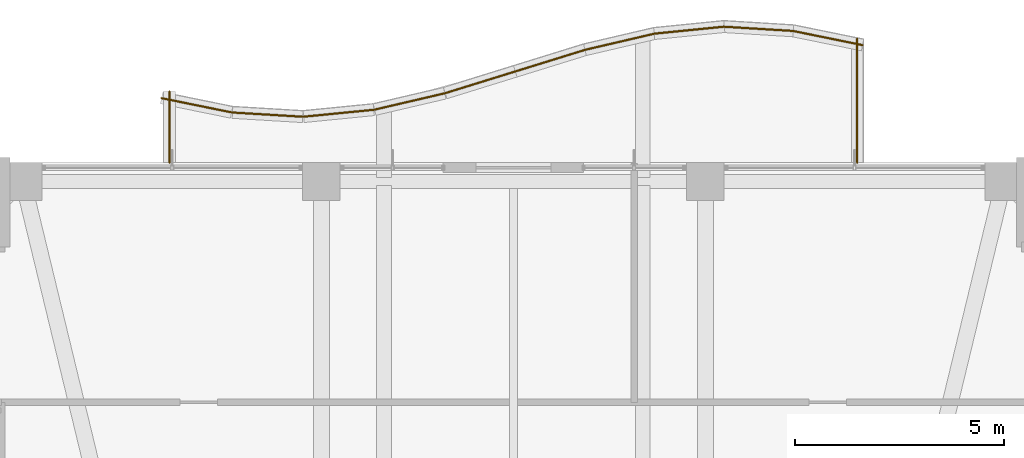
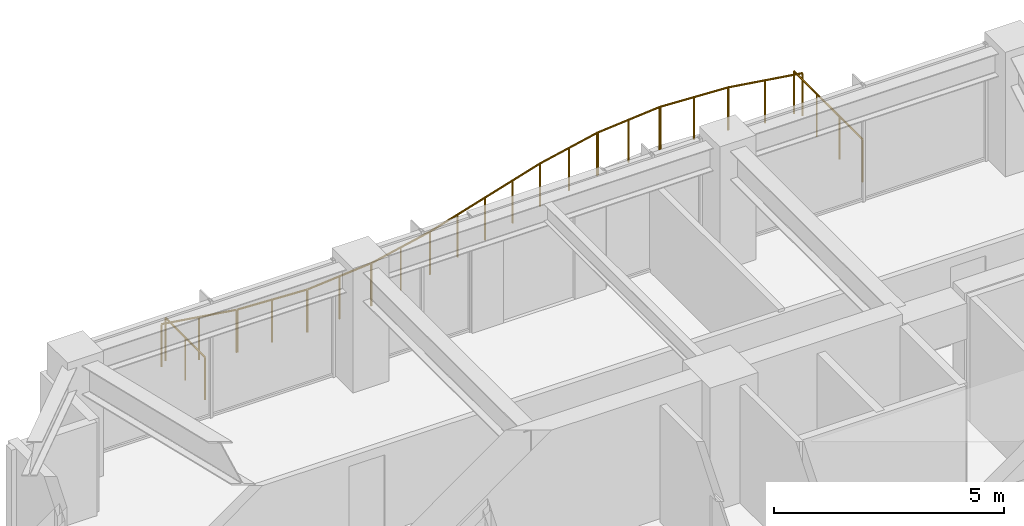
# One storey, part 31 of 31: 12 railings.
"""IFC4 building model written with IfcOpenShell, lengths in metres."""

from ifc_helpers import new_model, si_unit, direction, frame, origin, origin_2d, place, context, subcontext, project, spatial, circle, extrude, material, type_object, element, save


model = new_model("IFC4")

# Units and contexts
model_context = context("Model", 3, precision=1e-05, world=origin(), true_north=direction((0.0, 1.0)))
body_context = subcontext(model_context, "Body", "Model", "MODEL_VIEW")
ifc_project = project(units=[si_unit("LENGTHUNIT", "METRE"), si_unit("AREAUNIT", "SQUARE_METRE"), si_unit("VOLUMEUNIT", "CUBIC_METRE"), si_unit("PLANEANGLEUNIT", "RADIAN"), si_unit("MASSUNIT", "GRAM", prefix="KILO")], contexts=[model_context])

# Site, building, storey
site_placement = place(None, origin())
site = spatial("IfcSite", under=ifc_project, at=site_placement, CompositionType="ELEMENT")
building_placement = place(site_placement, origin())
building = spatial("IfcBuilding", under=site, at=building_placement, Name="Kolvaren Belvedere", CompositionType="ELEMENT")
storey_placement = place(building_placement, frame((0.0, 0.0, 134.89990234375)))
storey = spatial("IfcBuildingStorey", under=building, at=storey_placement, Name="L39", CompositionType="ELEMENT", Elevation=134.89990234375)

# Railings
ifc_material = material(Name="Anodised pale-metal aluminium & laminated glass guard", Category="aluminium")
railing_type = type_object("IfcRailingType", Name="RL-GUARD-1150", PredefinedType="GUARDRAIL", material=ifc_material)
railing_1_placement = place(storey_placement, frame((8.239990234375, 18.0, 0.400146484375)))
element("IfcRailing", 1, at=railing_1_placement, inside=storey, type_object=railing_type, Name="L39 Exterior Deck Safety Guard BAL-N-11", PredefinedType="GUARDRAIL", context=body_context, shape_type="SweptSolid", body=[
    extrude(circle(Radius=0.02392578125, at=origin_2d()), frame((0.0, 0.0, 1.1259765625), z_axis=(0.0, 1.0, 0.0), x_axis=(-1.0, 0.0, 0.0)), (0.0, 0.0, 1.0), 2.974853515625),
    extrude(circle(Radius=0.02099609375, at=origin_2d()), origin(), (0.0, 0.0, 1.0), 1.101806640625),
    extrude(circle(Radius=0.02099609375, at=origin_2d()), frame((0.0, 0.99169921875, 0.0)), (0.0, 0.0, 1.0), 1.101806640625),
    extrude(circle(Radius=0.02099609375, at=origin_2d()), frame((0.0, 1.983154296875, 0.0)), (0.0, 0.0, 1.0), 1.101806640625),
    extrude(circle(Radius=0.02099609375, at=origin_2d()), frame((0.0, 2.974853515625, 0.0)), (0.0, 0.0, 1.0), 1.101806640625),
])
railing_2_placement = place(storey_placement, frame((8.367919921875, 20.818115234375, 0.400146484375)))
element("IfcRailing", 2, at=railing_2_placement, inside=storey, type_object=railing_type, Name="L39 Exterior Deck Safety Guard BAL-N-12", PredefinedType="GUARDRAIL", context=body_context, shape_type="SweptSolid", body=[
    extrude(circle(Radius=0.02392578125, at=origin_2d()), frame((0.0, 0.0, 1.1259765625), z_axis=(-0.979867779516, 0.199647526069, 0.0), x_axis=(-0.199647526069, -0.979867779516, 0.0)), (0.0, 0.0, 1.0), 1.71435546875),
    extrude(circle(Radius=0.02099609375, at=origin_2d()), origin(), (0.0, 0.0, 1.0), 1.101806640625),
    extrude(circle(Radius=0.02099609375, at=origin_2d()), frame((-0.83984375, 0.171142578125, 0.0)), (0.0, 0.0, 1.0), 1.101806640625),
    extrude(circle(Radius=0.02099609375, at=origin_2d()), frame((-1.679931640625, 0.34228515625, 0.0)), (0.0, 0.0, 1.0), 1.101806640625),
])
railing_3_placement = place(storey_placement, frame((6.710205078125, 21.157470703125, 0.400146484375)))
element("IfcRailing", 3, at=railing_3_placement, inside=storey, type_object=railing_type, Name="L39 Exterior Deck Safety Guard BAL-N-13", PredefinedType="GUARDRAIL", context=body_context, shape_type="SweptSolid", body=[
    extrude(circle(Radius=0.02392578125, at=origin_2d()), frame((0.0, 0.0, 1.1259765625), z_axis=(-0.998133560666, 0.061068773295, 0.0), x_axis=(-0.061068773295, -0.998133560666, 0.0)), (0.0, 0.0, 1.0), 1.68310546875),
    extrude(circle(Radius=0.02099609375, at=origin_2d()), origin(), (0.0, 0.0, 1.0), 1.101806640625),
    extrude(circle(Radius=0.02099609375, at=origin_2d()), frame((-0.83984375, 0.05126953125, 0.0)), (0.0, 0.0, 1.0), 1.101806640625),
    extrude(circle(Radius=0.02099609375, at=origin_2d()), frame((-1.679931640625, 0.102783203125, 0.0)), (0.0, 0.0, 1.0), 1.101806640625),
])
railing_4_placement = place(storey_placement, frame((5.055908203125, 21.2607421875, 0.400146484375)))
element("IfcRailing", 4, at=railing_4_placement, inside=storey, type_object=railing_type, Name="L39 Exterior Deck Safety Guard BAL-N-14", PredefinedType="GUARDRAIL", context=body_context, shape_type="SweptSolid", body=[
    extrude(circle(Radius=0.02392578125, at=origin_2d()), frame((0.0, 0.0, 1.1259765625), z_axis=(-0.995038621856, -0.099489401517, 0.0), x_axis=(0.099489401517, -0.995038621856, 0.0)), (0.0, 0.0, 1.0), 1.688232421875),
    extrude(circle(Radius=0.02099609375, at=origin_2d()), origin(), (0.0, 0.0, 1.0), 1.101806640625),
    extrude(circle(Radius=0.02099609375, at=origin_2d()), frame((-0.83984375, -0.083984375, 0.0)), (0.0, 0.0, 1.0), 1.101806640625),
    extrude(circle(Radius=0.02099609375, at=origin_2d()), frame((-1.679931640625, -0.16796875, 0.0)), (0.0, 0.0, 1.0), 1.101806640625),
])
railing_5_placement = place(storey_placement, frame((3.396240234375, 21.09619140625, 0.400146484375)))
element("IfcRailing", 5, at=railing_5_placement, inside=storey, type_object=railing_type, Name="L39 Exterior Deck Safety Guard BAL-N-15", PredefinedType="GUARDRAIL", context=body_context, shape_type="SweptSolid", body=[
    extrude(circle(Radius=0.02392578125, at=origin_2d()), frame((0.0, 0.0, 1.1259765625), z_axis=(-0.973890253884, -0.227019323824, 0.0), x_axis=(0.227019323824, -0.973890253884, 0.0)), (0.0, 0.0, 1.0), 1.724853515625),
    extrude(circle(Radius=0.02099609375, at=origin_2d()), origin(), (0.0, 0.0, 1.0), 1.101806640625),
    extrude(circle(Radius=0.02099609375, at=origin_2d()), frame((-0.83984375, -0.19580078125, 0.0)), (0.0, 0.0, 1.0), 1.101806640625),
    extrude(circle(Radius=0.02099609375, at=origin_2d()), frame((-1.679931640625, -0.3916015625, 0.0)), (0.0, 0.0, 1.0), 1.101806640625),
])
railing_6_placement = place(storey_placement, frame((1.727294921875, 20.70751953125, 0.400146484375)))
element("IfcRailing", 6, at=railing_6_placement, inside=storey, type_object=railing_type, Name="L39 Exterior Deck Safety Guard BAL-N-16", PredefinedType="GUARDRAIL", context=body_context, shape_type="SweptSolid", body=[
    extrude(circle(Radius=0.02392578125, at=origin_2d()), frame((0.0, 0.0, 1.1259765625), z_axis=(-0.95524013163, -0.295831524561, 0.0), x_axis=(0.295831524561, -0.95524013163, 0.0)), (0.0, 0.0, 1.0), 1.758544921875),
    extrude(circle(Radius=0.02099609375, at=origin_2d()), origin(), (0.0, 0.0, 1.0), 1.101806640625),
    extrude(circle(Radius=0.02099609375, at=origin_2d()), frame((-0.83984375, -0.26025390625, 0.0)), (0.0, 0.0, 1.0), 1.101806640625),
    extrude(circle(Radius=0.02099609375, at=origin_2d()), frame((-1.679931640625, -0.520263671875, 0.0)), (0.0, 0.0, 1.0), 1.101806640625),
])
railing_7_placement = place(storey_placement, frame((0.04736328125, 20.187255859375, 0.400146484375)))
element("IfcRailing", 7, at=railing_7_placement, inside=storey, type_object=railing_type, Name="L39 Exterior Deck Safety Guard BAL-N-17", PredefinedType="GUARDRAIL", context=body_context, shape_type="SweptSolid", body=[
    extrude(circle(Radius=0.02392578125, at=origin_2d()), frame((0.0, 0.0, 1.1259765625), z_axis=(-0.955252278476, -0.29579229954, 0.0), x_axis=(0.29579229954, -0.955252278476, 0.0)), (0.0, 0.0, 1.0), 1.7587890625),
    extrude(circle(Radius=0.02099609375, at=origin_2d()), origin(), (0.0, 0.0, 1.0), 1.101806640625),
    extrude(circle(Radius=0.02099609375, at=origin_2d()), frame((-0.840087890625, -0.26025390625, 0.0)), (0.0, 0.0, 1.0), 1.101806640625),
    extrude(circle(Radius=0.02099609375, at=origin_2d()), frame((-1.68017578125, -0.520263671875, 0.0)), (0.0, 0.0, 1.0), 1.101806640625),
])
railing_8_placement = place(storey_placement, frame((-1.643798828125, 19.663818359375, 0.400146484375)))
element("IfcRailing", 8, at=railing_8_placement, inside=storey, type_object=railing_type, Name="L39 Exterior Deck Safety Guard BAL-N-18", PredefinedType="GUARDRAIL", context=body_context, shape_type="SweptSolid", body=[
    extrude(circle(Radius=0.02392578125, at=origin_2d()), frame((0.0, 0.0, 1.1259765625), z_axis=(-0.973890253884, -0.227019323824, 0.0), x_axis=(0.227019323824, -0.973890253884, 0.0)), (0.0, 0.0, 1.0), 1.724853515625),
    extrude(circle(Radius=0.02099609375, at=origin_2d()), origin(), (0.0, 0.0, 1.0), 1.101806640625),
    extrude(circle(Radius=0.02099609375, at=origin_2d()), frame((-0.83984375, -0.19580078125, 0.0)), (0.0, 0.0, 1.0), 1.101806640625),
    extrude(circle(Radius=0.02099609375, at=origin_2d()), frame((-1.679931640625, -0.3916015625, 0.0)), (0.0, 0.0, 1.0), 1.101806640625),
])
railing_9_placement = place(storey_placement, frame((-3.34423828125, 19.268798828125, 0.400146484375)))
element("IfcRailing", 9, at=railing_9_placement, inside=storey, type_object=railing_type, Name="L39 Exterior Deck Safety Guard BAL-N-19", PredefinedType="GUARDRAIL", context=body_context, shape_type="SweptSolid", body=[
    extrude(circle(Radius=0.02392578125, at=origin_2d()), frame((0.0, 0.0, 1.1259765625), z_axis=(-0.995153897624, -0.098329649867, 0.0), x_axis=(0.098329649867, -0.995153897624, 0.0)), (0.0, 0.0, 1.0), 1.6884765625),
    extrude(circle(Radius=0.02099609375, at=origin_2d()), origin(), (0.0, 0.0, 1.0), 1.101806640625),
    extrude(circle(Radius=0.02099609375, at=origin_2d()), frame((-0.840087890625, -0.0830078125, 0.0)), (0.0, 0.0, 1.0), 1.101806640625),
    extrude(circle(Radius=0.02099609375, at=origin_2d()), frame((-1.68017578125, -0.166015625, 0.0)), (0.0, 0.0, 1.0), 1.101806640625),
])
railing_10_placement = place(storey_placement, frame((-5.049560546875, 19.102294921875, 0.400146484375)))
element("IfcRailing", 10, at=railing_10_placement, inside=storey, type_object=railing_type, Name="L39 Exterior Deck Safety Guard BAL-N-20", PredefinedType="GUARDRAIL", context=body_context, shape_type="SweptSolid", body=[
    extrude(circle(Radius=0.02392578125, at=origin_2d()), frame((0.0, 0.0, 1.1259765625), z_axis=(-0.998203631072, 0.059912527196, 0.0), x_axis=(-0.059912527196, -0.998203631072, 0.0)), (0.0, 0.0, 1.0), 1.682861328125),
    extrude(circle(Radius=0.02099609375, at=origin_2d()), origin(), (0.0, 0.0, 1.0), 1.101806640625),
    extrude(circle(Radius=0.02099609375, at=origin_2d()), frame((-0.83984375, 0.05029296875, 0.0)), (0.0, 0.0, 1.0), 1.101806640625),
    extrude(circle(Radius=0.02099609375, at=origin_2d()), frame((-1.679931640625, 0.100830078125, 0.0)), (0.0, 0.0, 1.0), 1.101806640625),
])
railing_11_placement = place(storey_placement, frame((-6.751953125, 19.2060546875, 0.400146484375)))
element("IfcRailing", 11, at=railing_11_placement, inside=storey, type_object=railing_type, Name="L39 Exterior Deck Safety Guard BAL-N-21", PredefinedType="GUARDRAIL", context=body_context, shape_type="SweptSolid", body=[
    extrude(circle(Radius=0.02392578125, at=origin_2d()), frame((0.0, 0.0, 1.1259765625), z_axis=(-0.979867779516, 0.199647526069, 0.0), x_axis=(-0.199647526069, -0.979867779516, 0.0)), (0.0, 0.0, 1.0), 1.71435546875),
    extrude(circle(Radius=0.02099609375, at=origin_2d()), origin(), (0.0, 0.0, 1.0), 1.101806640625),
    extrude(circle(Radius=0.02099609375, at=origin_2d()), frame((-0.83984375, 0.171142578125, 0.0)), (0.0, 0.0, 1.0), 1.101806640625),
    extrude(circle(Radius=0.02099609375, at=origin_2d()), frame((-1.679931640625, 0.34228515625, 0.0)), (0.0, 0.0, 1.0), 1.101806640625),
])
railing_12_placement = place(storey_placement, frame((-8.239990234375, 19.705078125, 0.400146484375)))
element("IfcRailing", 12, at=railing_12_placement, inside=storey, type_object=railing_type, Name="L39 Exterior Deck Safety Guard BAL-N-22", PredefinedType="GUARDRAIL", context=body_context, shape_type="SweptSolid", body=[
    extrude(circle(Radius=0.02392578125, at=origin_2d()), frame((0.0, 0.0, 1.1259765625), z_axis=(0.0, -1.0, 0.0), x_axis=(1.0, 0.0, 0.0)), (0.0, 0.0, 1.0), 1.705078125),
    extrude(circle(Radius=0.02099609375, at=origin_2d()), origin(), (0.0, 0.0, 1.0), 1.101806640625),
    extrude(circle(Radius=0.02099609375, at=origin_2d()), frame((0.0, -0.8525390625, 0.0)), (0.0, 0.0, 1.0), 1.101806640625),
    extrude(circle(Radius=0.02099609375, at=origin_2d()), frame((0.0, -1.705078125, 0.0)), (0.0, 0.0, 1.0), 1.101806640625),
])

save(model, "model.ifc")
